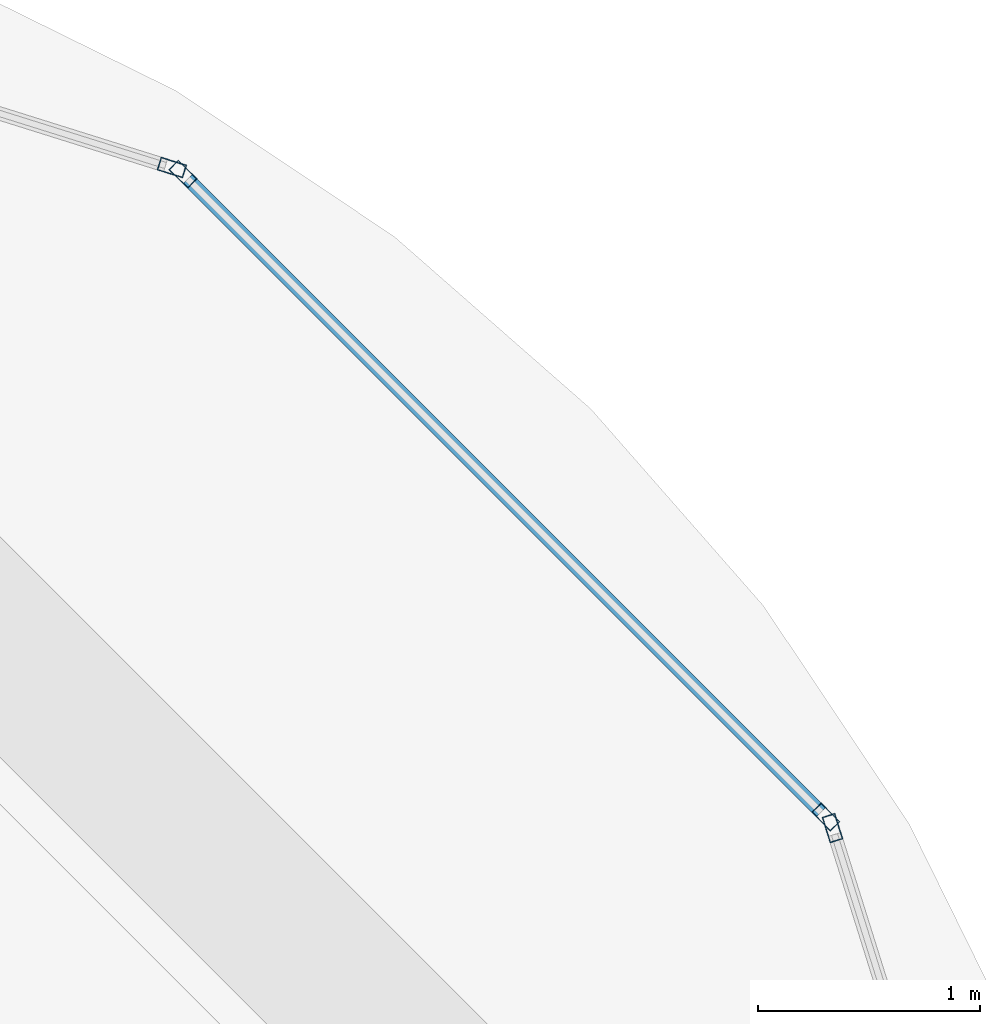
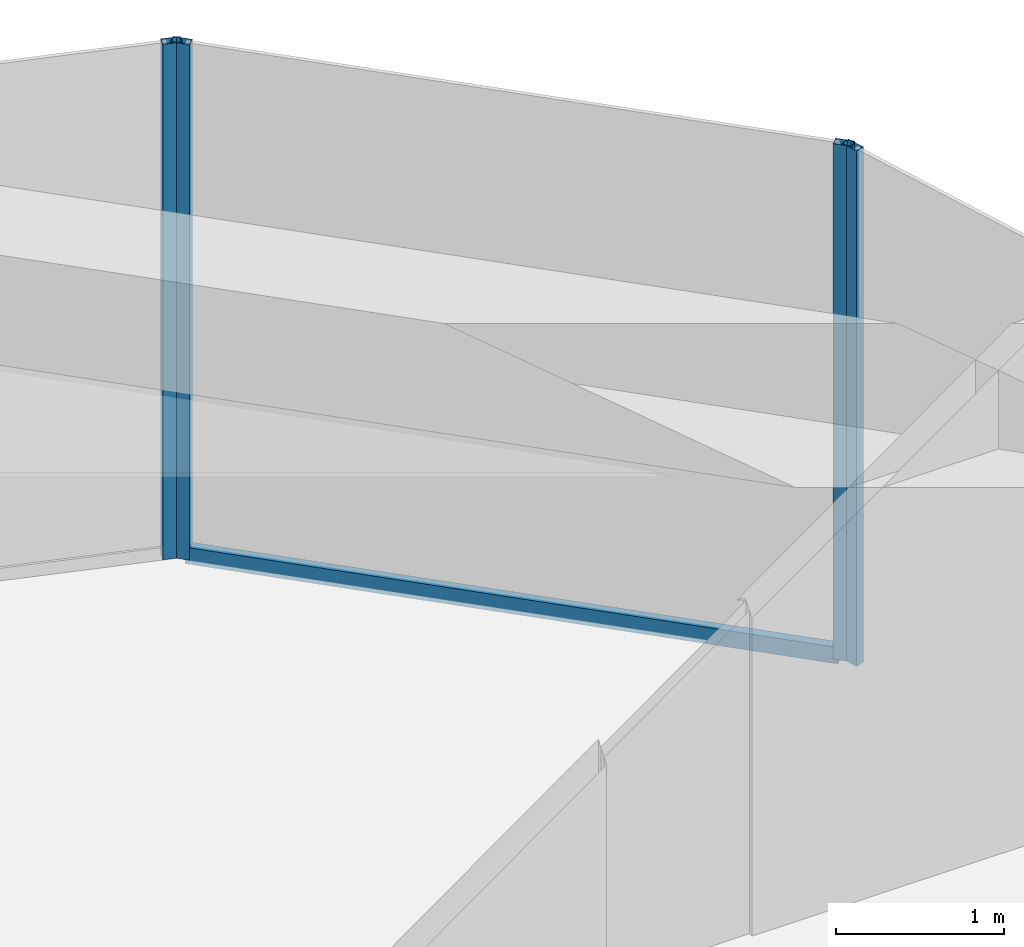
# One storey, part 39 of 44: 5 members, 3 elements without a shape of their own.
"""IFC4 building model written with IfcOpenShell, lengths in metres."""

from ifc_helpers import new_model, si_unit, direction, frame, origin, origin_2d, place, context, subcontext, project, spatial, hollow_rectangle, extrude, material, material_profile, profile_set, type_object, element, aggregate, save


model = new_model("IFC4")

# Units and contexts
model_context = context("Model", 3, precision=1e-05, world=origin(), true_north=direction((0.0, 1.0)))
body_context = subcontext(model_context, "Body", "Model", "MODEL_VIEW")
ifc_project = project(units=[si_unit("LENGTHUNIT", "METRE"), si_unit("AREAUNIT", "SQUARE_METRE"), si_unit("VOLUMEUNIT", "CUBIC_METRE"), si_unit("PLANEANGLEUNIT", "RADIAN"), si_unit("MASSUNIT", "GRAM", prefix="KILO")], contexts=[model_context])

# Site, building, storey
site_placement = place(None, origin())
site = spatial("IfcSite", under=ifc_project, at=site_placement, CompositionType="ELEMENT")
building_placement = place(site_placement, origin())
building = spatial("IfcBuilding", under=site, at=building_placement, Name="Zorevar Civic Tower", CompositionType="ELEMENT")
storey_placement = place(building_placement, frame((0.0, 0.0, 271.39990234375)))
storey = spatial("IfcBuildingStorey", under=building, at=storey_placement, Name="L66", CompositionType="ELEMENT", Elevation=271.39990234375)

# Curtain wall, member
ifc_material_1 = material(Name="Dark grey solar-control glass in black aluminium frame", Category="aluminium")
curtain_wall_type = type_object("IfcCurtainWallType", Name="Curtain wall CW5 top zone", PredefinedType="NOTDEFINED", material=ifc_material_1)
curtain_wall_1_placement = place(storey_placement, origin())
curtain_wall_1 = element("IfcCurtainWall", 1, at=curtain_wall_1_placement, inside=storey, type_object=curtain_wall_type, Name="CW5 L66", PredefinedType="NOTDEFINED")
ifc_material_2 = material(Name="Aluminium, black anodised", Category="aluminium")
ifc_material_profile_1 = material_profile(ifc_material_2, hollow_rectangle(XDim=0.06005859375, YDim=0.1201171875, WallThickness=0.0029296875, at=origin_2d()), Name="AL 120x60x3")
ifc_profile_set_1 = profile_set([ifc_material_profile_1], Name="Aluminium, black anodised")
member_type_1 = type_object("IfcMemberType", Name="CW5 mullion AL 120x60x3", PredefinedType="MULLION", material=ifc_profile_set_1)
member_1_placement = place(storey_placement, frame((52.449951171875, 40.479248046875, 0.0), z_axis=(0.0, 0.0, 1.0), x_axis=(-0.954153437674, -0.299317920238, 0.0)))
member_1 = element("IfcMember", 2, at=member_1_placement, type_object=member_type_1, Name="CW5 mullion 2", PredefinedType="MULLION", context=body_context, shape_type="SweptSolid", body=[
    extrude(hollow_rectangle(XDim=0.06005859375, YDim=0.1201171875, WallThickness=0.0029296875, at=origin_2d()), origin(), (0.0, 0.0, 1.0), 3.75),
])
aggregate(curtain_wall_1, [member_1])

# Curtain wall, members
curtain_wall_2_placement = place(storey_placement, origin())
curtain_wall_2 = element("IfcCurtainWall", 3, at=curtain_wall_2_placement, inside=storey, type_object=curtain_wall_type, Name="CW5 L66", PredefinedType="NOTDEFINED")
member_2_placement = place(storey_placement, frame((52.419677734375, 40.529052734375, 0.0), z_axis=(0.0, 0.0, 1.0), x_axis=(-0.707106781187, -0.707106781187, 0.0)))
member_2 = element("IfcMember", 4, at=member_2_placement, type_object=member_type_1, Name="CW5 mullion 1", PredefinedType="MULLION", context=body_context, shape_type="SweptSolid", body=[
    extrude(hollow_rectangle(XDim=0.06005859375, YDim=0.1201171875, WallThickness=0.0029296875, at=origin_2d()), origin(), (0.0, 0.0, 1.0), 3.75),
])
member_3_placement = place(storey_placement, frame((49.529052734375, 43.419677734375, 0.0), z_axis=(0.0, 0.0, 1.0), x_axis=(-0.707106781187, -0.707106781187, 0.0)))
member_3 = element("IfcMember", 5, at=member_3_placement, type_object=member_type_1, Name="CW5 mullion 2", PredefinedType="MULLION", context=body_context, shape_type="SweptSolid", body=[
    extrude(hollow_rectangle(XDim=0.06005859375, YDim=0.1201171875, WallThickness=0.0029296875, at=origin_2d()), origin(), (0.0, 0.0, 1.0), 3.75),
])

# Curtain wall, member
curtain_wall_3_placement = place(storey_placement, origin())
curtain_wall_3 = element("IfcCurtainWall", 6, at=curtain_wall_3_placement, inside=storey, type_object=curtain_wall_type, Name="CW5 L66", PredefinedType="NOTDEFINED")
member_4_placement = place(storey_placement, frame((49.479248046875, 43.449951171875, 0.0), z_axis=(0.0, 0.0, 1.0), x_axis=(-0.299317920238, -0.954153437674, 0.0)))
member_4 = element("IfcMember", 7, at=member_4_placement, type_object=member_type_1, Name="CW5 mullion 1", PredefinedType="MULLION", context=body_context, shape_type="SweptSolid", body=[
    extrude(hollow_rectangle(XDim=0.06005859375, YDim=0.1201171875, WallThickness=0.0029296875, at=origin_2d()), origin(), (0.0, 0.0, 1.0), 3.75),
])
aggregate(curtain_wall_3, [member_4])

# Member
ifc_material_3 = material(Name="Aluminium, black anodised", Category="aluminium")
ifc_material_profile_2 = material_profile(ifc_material_3, hollow_rectangle(XDim=0.06005859375, YDim=0.1201171875, WallThickness=0.0029296875, at=origin_2d()), Name="AL 120x60x3")
ifc_profile_set_2 = profile_set([ifc_material_profile_2], Name="Aluminium, black anodised")
member_type_2 = type_object("IfcMemberType", Name="CW5 transom AL 120x60x3", PredefinedType="USERDEFINED", material=ifc_profile_set_2)
member_5_placement = place(storey_placement, frame((52.3984375, 40.55029296875, 0.030029296875), z_axis=(-0.707106781187, 0.707106781187, 0.0), x_axis=(-0.707106781187, -0.707106781187, 0.0)))
member_5 = element("IfcMember", 8, at=member_5_placement, type_object=member_type_2, Name="CW5 sill transom", ObjectType="TRANSOM", PredefinedType="USERDEFINED", context=body_context, shape_type="SweptSolid", body=[
    extrude(hollow_rectangle(XDim=0.06005859375, YDim=0.1201171875, WallThickness=0.0029296875, at=origin_2d()), origin(), (0.0, 0.0, 1.0), 4.02783203125),
])

aggregate(curtain_wall_2, [member_2, member_3, member_5])

save(model, "model.ifc")
